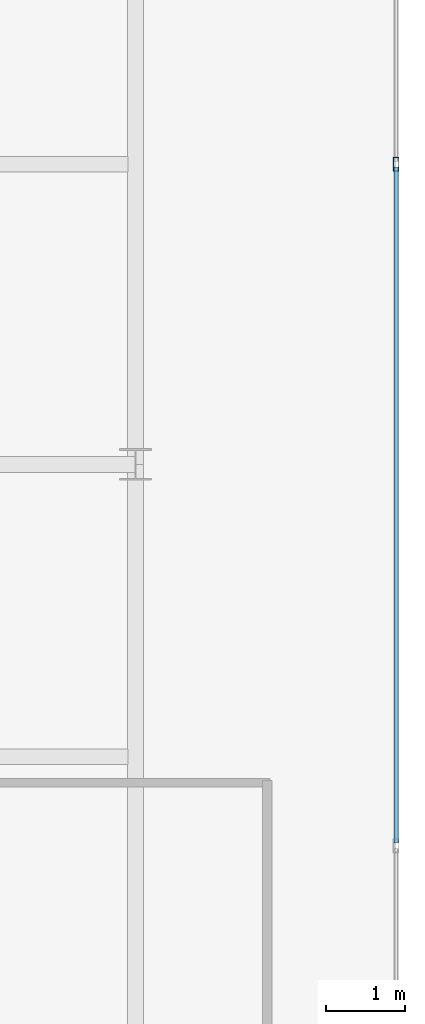
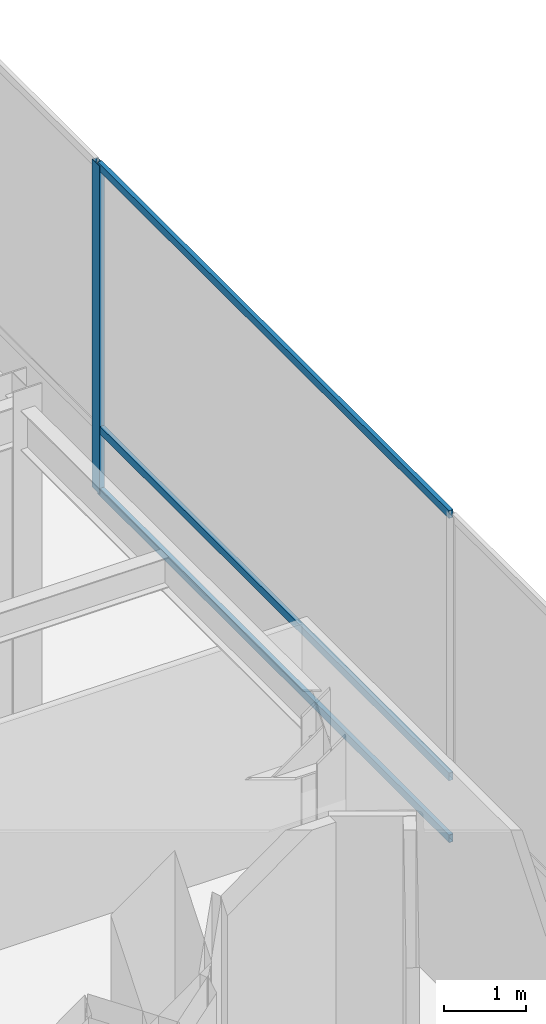
# One storey, part 26 of 40: 4 members, 1 element without a shape of its own.
"""IFC4 building model written with IfcOpenShell, lengths in metres."""

from ifc_helpers import new_model, si_unit, direction, frame, origin, origin_2d, place, context, subcontext, project, spatial, hollow_rectangle, extrude, material, layer, layer_set, material_profile, profile_set, type_object, element, aggregate, save


model = new_model("IFC4")

# Units and contexts
model_context = context("Model", 3, precision=1e-05, world=origin(), true_north=direction((0.0, 1.0)))
body_context = subcontext(model_context, "Body", "Model", "MODEL_VIEW")
ifc_project = project(units=[si_unit("LENGTHUNIT", "METRE"), si_unit("AREAUNIT", "SQUARE_METRE"), si_unit("VOLUMEUNIT", "CUBIC_METRE"), si_unit("PLANEANGLEUNIT", "RADIAN"), si_unit("MASSUNIT", "GRAM", prefix="KILO")], contexts=[model_context])

# Site, building, storey
site_placement = place(None, origin())
site = spatial("IfcSite", under=ifc_project, at=site_placement, CompositionType="ELEMENT")
building_placement = place(site_placement, origin())
building = spatial("IfcBuilding", under=site, at=building_placement, Name="Qianvela Tower", CompositionType="ELEMENT")
storey_placement = place(building_placement, frame((0.0, 0.0, 20.60009765625)))
storey = spatial("IfcBuildingStorey", under=building, at=storey_placement, Name="L04", CompositionType="ELEMENT", Elevation=20.60009765625)

# Curtain wall, members
ifc_material_1 = material(Name="Anodised Architectural Aluminium and Low-E Glass", Category="aluminium")
ifc_layer = layer(ifc_material_1, 0.179931640625)
ifc_layer_set = layer_set([ifc_layer], Name="Anodised Architectural Aluminium and Low-E Glass")
curtain_wall_type = type_object("IfcCurtainWallType", Name="CW-COMMONS", PredefinedType="USERDEFINED", material=ifc_layer_set)
curtain_wall_placement = place(storey_placement, origin())
curtain_wall = element("IfcCurtainWall", 1, at=curtain_wall_placement, inside=storey, type_object=curtain_wall_type, Name="L04 CW-COMMONS Curtain Wall 03", ObjectType="CURTAIN_WALL_SYSTEM", PredefinedType="USERDEFINED")
ifc_material_2 = material(Name="Anodised Architectural Aluminium 6063-T6", Category="aluminium")
ifc_material_profile_1 = material_profile(ifc_material_2, hollow_rectangle(XDim=0.070068359375, YDim=0.179931640625, WallThickness=0.0048828125, at=origin_2d()), Name="ALU-MULL-70x180")
ifc_profile_set_1 = profile_set([ifc_material_profile_1], Name="Anodised Architectural Aluminium 6063-T6")
member_type_1 = type_object("IfcMemberType", Name="CW-COMMONS-MULL", PredefinedType="MULLION", material=ifc_profile_set_1)
member_1_placement = place(storey_placement, frame((70.800048828125, 26.0, 0.0), z_axis=(0.0, 0.0, 1.0), x_axis=(-1.0, 0.0, 0.0)))
member_1 = element("IfcMember", 2, at=member_1_placement, type_object=member_type_1, Name="CW-2 mullion 3", PredefinedType="MULLION", context=body_context, shape_type="SweptSolid", body=[
    extrude(hollow_rectangle(XDim=0.070068359375, YDim=0.179931640625, WallThickness=0.0048828125, at=origin_2d()), origin(), (0.0, 0.0, 1.0), 4.8798828125),
])
ifc_material_3 = material(Name="Anodised Architectural Aluminium 6063-T6", Category="aluminium")
ifc_material_profile_2 = material_profile(ifc_material_3, hollow_rectangle(XDim=0.06005859375, YDim=0.114990234375, WallThickness=0.00390625, at=origin_2d()), Name="ALU-TRAN-60x115")
ifc_profile_set_2 = profile_set([ifc_material_profile_2], Name="Anodised Architectural Aluminium 6063-T6")
member_type_2 = type_object("IfcMemberType", Name="CW-COMMONS-TRAN", PredefinedType="USERDEFINED", material=ifc_profile_set_2)
member_2_placement = place(storey_placement, frame((70.800048828125, 17.409912109375, 0.02978515625), z_axis=(0.0, 1.0, 0.0), x_axis=(-1.0, 0.0, 0.0)))
member_2 = element("IfcMember", 3, at=member_2_placement, type_object=member_type_2, Name="CW-2 transom 2.1", ObjectType="TRANSOM", PredefinedType="USERDEFINED", context=body_context, shape_type="SweptSolid", body=[
    extrude(hollow_rectangle(XDim=0.06005859375, YDim=0.114990234375, WallThickness=0.00390625, at=origin_2d()), origin(), (0.0, 0.0, 1.0), 8.55517578125),
])
member_3_placement = place(storey_placement, frame((70.800048828125, 17.409912109375, 0.949951171875), z_axis=(0.0, 1.0, 0.0), x_axis=(-1.0, 0.0, 0.0)))
member_3 = element("IfcMember", 4, at=member_3_placement, type_object=member_type_2, Name="CW-2 transom 2.2", ObjectType="TRANSOM", PredefinedType="USERDEFINED", context=body_context, shape_type="SweptSolid", body=[
    extrude(hollow_rectangle(XDim=0.06005859375, YDim=0.114990234375, WallThickness=0.00390625, at=origin_2d()), origin(), (0.0, 0.0, 1.0), 8.55517578125),
])
member_4_placement = place(storey_placement, frame((70.800048828125, 17.409912109375, 4.849853515625), z_axis=(0.0, 1.0, 0.0), x_axis=(-1.0, 0.0, 0.0)))
member_4 = element("IfcMember", 5, at=member_4_placement, type_object=member_type_2, Name="CW-2 transom 2.3", ObjectType="TRANSOM", PredefinedType="USERDEFINED", context=body_context, shape_type="SweptSolid", body=[
    extrude(hollow_rectangle(XDim=0.06005859375, YDim=0.114990234375, WallThickness=0.00390625, at=origin_2d()), origin(), (0.0, 0.0, 1.0), 8.55517578125),
])
aggregate(curtain_wall, [member_1, member_2, member_3, member_4])

save(model, "model.ifc")
